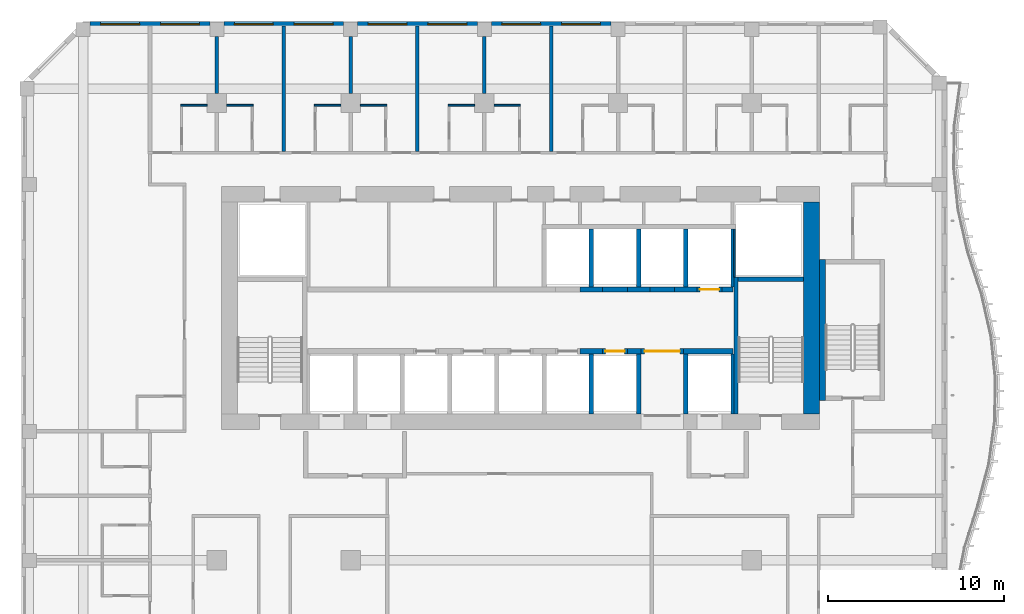
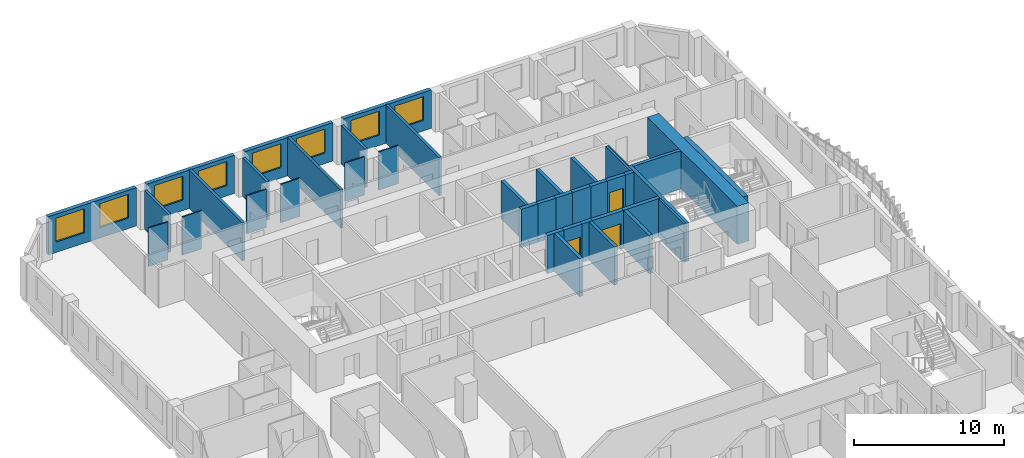
# One storey, part 9 of 23: 41 walls, 8 windows, 3 doors, 11 openings.
"""IFC4 building model written with IfcOpenShell, lengths in metres."""

from ifc_helpers import new_model, si_unit, direction, frame, frame_2d, origin, place, context, subcontext, project, spatial, rectangle, extrude, source, transform, mapped, material, layer, layer_set, type_object, element, fill, save


model = new_model("IFC4")

# Units and contexts
model_context = context("Model", 3, precision=1e-05, world=origin(), true_north=direction((0.0, 1.0)))
body_context = subcontext(model_context, "Body", "Model", "MODEL_VIEW")
ifc_project = project(units=[si_unit("LENGTHUNIT", "METRE"), si_unit("AREAUNIT", "SQUARE_METRE"), si_unit("VOLUMEUNIT", "CUBIC_METRE"), si_unit("PLANEANGLEUNIT", "RADIAN"), si_unit("MASSUNIT", "GRAM", prefix="KILO")], contexts=[model_context])

# Site, building, storey
site_placement = place(None, origin())
site = spatial("IfcSite", under=ifc_project, at=site_placement, CompositionType="ELEMENT")
building_placement = place(site_placement, origin())
building = spatial("IfcBuilding", under=site, at=building_placement, Name="Kilnfold Tower and Market Hall", CompositionType="ELEMENT")
storey_placement = place(building_placement, frame((0.0, 0.0, 150.699951171875)))
storey = spatial("IfcBuildingStorey", under=building, at=storey_placement, Name="L34", CompositionType="ELEMENT", Elevation=150.699951171875)

# Walls
ifc_material_1 = material(Name="Gypsum board on steel studs", Category="steel")
ifc_layer_1 = layer(ifc_material_1, 0.10009765625)
ifc_layer_set_1 = layer_set([ifc_layer_1], Name="Gypsum board on steel studs")
wall_type_1 = type_object("IfcWallType", Name="WALL PARTITION 100", PredefinedType="PARTITIONING", material=ifc_layer_set_1)
for number, where, z_axis, x_axis, name in (
    (1, (-18.217041015625, 26.501953125, 0.0), (0.0, 0.0, 1.0), (1.0, 0.0, 0.0), "Partition LY22.86"),
    (2, (-15.616943359375, 26.501953125, 0.0), (0.0, 0.0, 1.0), (1.0, 0.0, 0.0), "Partition LY22.90"),
    (3, (-10.633056640625, 26.501953125, 0.0), (0.0, 0.0, 1.0), (1.0, 0.0, 0.0), "Partition LY22.93"),
    (4, (-8.032958984375, 26.501953125, 0.0), (0.0, 0.0, 1.0), (1.0, 0.0, 0.0), "Partition LY22.97"),
    (5, (-3.050048828125, 26.501953125, 0.0), (0.0, 0.0, 1.0), (1.0, 0.0, 0.0), "Partition LY22.100"),
    (6, (-0.449951171875, 26.501953125, 0.0), (0.0, 0.0, 1.0), (1.0, 0.0, 0.0), "Partition LY22.104"),
):
    element("IfcWall", number, at=place(storey_placement, frame(where, z_axis=z_axis, x_axis=x_axis)), inside=storey, type_object=wall_type_1, Name=name, PredefinedType="PARTITIONING", context=body_context, shape_type="SweptSolid", body=[
        extrude(rectangle(XDim=1.5, YDim=0.10009765625, at=frame_2d((0.75, 0.0))), origin(), (0.0, 0.0, 1.0), 3.1201171875),
    ])
ifc_material_2 = material(Name="Gypsum board on steel studs", Category="steel")
ifc_layer_2 = layer(ifc_material_2, 0.199951171875)
ifc_layer_set_2 = layer_set([ifc_layer_2], Name="Gypsum board on steel studs")
wall_type_2 = type_object("IfcWallType", Name="WALL PARTY 200", PredefinedType="PARTITIONING", material=ifc_layer_set_2)
wall_1_placement = place(storey_placement, frame((-16.1669921875, 27.175048828125, 0.0), z_axis=(0.0, 0.0, 1.0), x_axis=(0.0, 1.0, 0.0)))
element("IfcWall", 7, at=wall_1_placement, inside=storey, type_object=wall_type_2, Name="Partition LY22.88", PredefinedType="PARTITIONING", context=body_context, shape_type="SweptSolid", body=[
    extrude(rectangle(XDim=3.224853515625, YDim=0.199951171875, at=frame_2d((1.6123046875, 0.0))), origin(), (0.0, 0.0, 1.0), 3.1201171875),
])
wall_2_placement = place(storey_placement, frame((-12.375, 23.876953125, 0.0), z_axis=(0.0, 0.0, 1.0), x_axis=(0.0, 1.0, 0.0)))
element("IfcWall", 8, at=wall_2_placement, inside=storey, type_object=wall_type_2, Name="Partition LY22.92", PredefinedType="PARTITIONING", context=body_context, shape_type="SweptSolid", body=[
    extrude(rectangle(XDim=7.123046875, YDim=0.199951171875, at=frame_2d((3.5615234375, 0.0))), origin(), (0.0, 0.0, 1.0), 3.1201171875),
])
wall_3_placement = place(storey_placement, frame((-8.5830078125, 27.175048828125, 0.0), z_axis=(0.0, 0.0, 1.0), x_axis=(0.0, 1.0, 0.0)))
element("IfcWall", 9, at=wall_3_placement, inside=storey, type_object=wall_type_2, Name="Partition LY22.95", PredefinedType="PARTITIONING", context=body_context, shape_type="SweptSolid", body=[
    extrude(rectangle(XDim=3.224853515625, YDim=0.199951171875, at=frame_2d((1.6123046875, 0.0))), origin(), (0.0, 0.0, 1.0), 3.1201171875),
])
wall_4_placement = place(storey_placement, frame((-4.7919921875, 23.876953125, 0.0), z_axis=(0.0, 0.0, 1.0), x_axis=(0.0, 1.0, 0.0)))
element("IfcWall", 10, at=wall_4_placement, inside=storey, type_object=wall_type_2, Name="Partition LY22.99", PredefinedType="PARTITIONING", context=body_context, shape_type="SweptSolid", body=[
    extrude(rectangle(XDim=7.123046875, YDim=0.199951171875, at=frame_2d((3.5615234375, 0.0))), origin(), (0.0, 0.0, 1.0), 3.1201171875),
])
wall_5_placement = place(storey_placement, frame((-1.0, 27.175048828125, 0.0), z_axis=(0.0, 0.0, 1.0), x_axis=(0.0, 1.0, 0.0)))
element("IfcWall", 11, at=wall_5_placement, inside=storey, type_object=wall_type_2, Name="Partition LY22.102", PredefinedType="PARTITIONING", context=body_context, shape_type="SweptSolid", body=[
    extrude(rectangle(XDim=3.224853515625, YDim=0.199951171875, at=frame_2d((1.6123046875, 0.0))), origin(), (0.0, 0.0, 1.0), 3.1201171875),
])
wall_6_placement = place(storey_placement, frame((2.7919921875, 23.876953125, 0.0), z_axis=(0.0, 0.0, 1.0), x_axis=(0.0, 1.0, 0.0)))
element("IfcWall", 12, at=wall_6_placement, inside=storey, type_object=wall_type_2, Name="Partition LY22.106", PredefinedType="PARTITIONING", context=body_context, shape_type="SweptSolid", body=[
    extrude(rectangle(XDim=7.123046875, YDim=0.199951171875, at=frame_2d((3.5615234375, 0.0))), origin(), (0.0, 0.0, 1.0), 3.1201171875),
])
ifc_material_3 = material(Name="Concrete C70", Category="concrete")
ifc_layer_3 = layer(ifc_material_3, 0.89990234375)
ifc_layer_set_3 = layer_set([ifc_layer_3], Name="Concrete C70")
wall_type_3 = type_object("IfcWallType", Name="CORE WALL 900 C70", PredefinedType="SHEAR", material=ifc_layer_set_3)
shared_shape_1 = source(origin(), body_context, "Body", "SweptSolid", [
    extrude(rectangle(XDim=12.0, YDim=0.89990234375, at=frame_2d((6.0, 0.0))), origin(), (0.0, 0.0, 1.0), 3.1201171875),
])
wall_7_placement = place(storey_placement, frame((17.550048828125, 9.0, 0.0), z_axis=(0.0, 0.0, 1.0), x_axis=(0.0, 1.0, 0.0)))
element("IfcWall", 13, at=wall_7_placement, inside=storey, type_object=wall_type_3, Name="Core outer wall east", PredefinedType="SHEAR", context=body_context, shape_type="MappedRepresentation", body=[
    mapped(shared_shape_1, transform((0.0, 0.0, 0.0))),
])
ifc_material_4 = material(Name="Concrete C70", Category="concrete")
ifc_layer_4 = layer(ifc_material_4, 0.25)
ifc_layer_set_4 = layer_set([ifc_layer_4], Name="Concrete C70")
wall_type_4 = type_object("IfcWallType", Name="CORE WALL 250 C70", PredefinedType="SHEAR", material=ifc_layer_set_4)
shared_shape_2 = source(origin(), body_context, "Body", "SweptSolid", [
    extrude(rectangle(XDim=7.75, YDim=0.25, at=frame_2d((3.875, 0.0))), origin(), (0.0, 0.0, 1.0), 3.1201171875),
])
wall_8_placement = place(storey_placement, frame((13.27490234375, 9.0, 0.0), z_axis=(0.0, 0.0, 1.0), x_axis=(0.0, 1.0, 0.0)))
element("IfcWall", 14, at=wall_8_placement, inside=storey, type_object=wall_type_4, Name="Stair enclosure ST2", PredefinedType="SHEAR", context=body_context, shape_type="MappedRepresentation", body=[
    mapped(shared_shape_2, transform((0.0, 0.0, 0.0))),
])
shared_shape_3 = source(origin(), body_context, "Body", "SweptSolid", [
    extrude(rectangle(XDim=3.7001953125, YDim=0.25, at=frame_2d((1.85009765625, 0.0))), origin(), (0.0, 0.0, 1.0), 3.1201171875),
])
wall_9_placement = place(storey_placement, frame((13.39990234375, 16.625, 0.0), z_axis=(0.0, 0.0, 1.0), x_axis=(1.0, 0.0, 0.0)))
element("IfcWall", 15, at=wall_9_placement, inside=storey, type_object=wall_type_4, Name="Stair enclosure ST2", PredefinedType="SHEAR", context=body_context, shape_type="MappedRepresentation", body=[
    mapped(shared_shape_3, transform((0.0, 0.0, 0.0))),
])
ifc_material_5 = material(Name="Concrete C70", Category="concrete")
ifc_layer_5 = layer(ifc_material_5, 0.35009765625)
ifc_layer_set_5 = layer_set([ifc_layer_5], Name="Concrete C70")
wall_type_5 = type_object("IfcWallType", Name="CORE WALL 350 C70", PredefinedType="SHEAR", material=ifc_layer_set_5)
shared_shape_4 = source(origin(), body_context, "Body", "SweptSolid", [
    extrude(rectangle(XDim=8.0, YDim=0.35009765625, at=frame_2d((4.0, 0.0))), origin(), (0.0, 0.0, 1.0), 3.1201171875),
])
wall_10_placement = place(storey_placement, frame((18.175048828125, 9.75, 0.0), z_axis=(0.0, 0.0, 1.0), x_axis=(0.0, 1.0, 0.0)))
element("IfcWall", 16, at=wall_10_placement, inside=storey, type_object=wall_type_5, Name="Stair enclosure ST5", PredefinedType="SHEAR", context=body_context, shape_type="MappedRepresentation", body=[
    mapped(shared_shape_4, transform((0.0, 0.0, 0.0))),
])
ifc_material_6 = material(Name="Concrete C70", Category="concrete")
ifc_layer_6 = layer(ifc_material_6, 0.300048828125)
ifc_layer_set_6 = layer_set([ifc_layer_6], Name="Concrete C70")
wall_type_6 = type_object("IfcWallType", Name="CORE WALL 300 C70", PredefinedType="SHEAR", material=ifc_layer_set_6)
shared_shape_5 = source(origin(), body_context, "Body", "SweptSolid", [
    extrude(rectangle(XDim=1.280029296875, YDim=0.300048828125, at=frame_2d((0.64013671875, 0.0))), origin(), (0.0, 0.0, 1.0), 3.1201171875),
])
for number, where, z_axis, x_axis, name in (
    (17, (4.429931640625, 12.550048828125, 0.0), (0.0, 0.0, 1.0), (1.0, 0.0, 0.0), "Core spine wall"),
    (18, (4.429931640625, 16.050048828125, 0.0), (0.0, 0.0, 1.0), (1.0, 0.0, 0.0), "Core spine wall"),
    (19, (9.7900390625, 16.050048828125, 0.0), (0.0, 0.0, 1.0), (1.0, 0.0, 0.0), "Core spine wall"),
):
    element("IfcWall", number, at=place(storey_placement, frame(where, z_axis=z_axis, x_axis=x_axis)), inside=storey, type_object=wall_type_6, Name=name, PredefinedType="SHEAR", context=body_context, shape_type="MappedRepresentation", body=[
        mapped(shared_shape_5, transform((0.0, 0.0, 0.0))),
    ])
shared_shape_6 = source(origin(), body_context, "Body", "SweptSolid", [
    extrude(rectangle(XDim=0.77978515625, YDim=0.300048828125, at=frame_2d((0.389892578125, 0.0))), origin(), (0.0, 0.0, 1.0), 3.1201171875),
])
wall_11_placement = place(storey_placement, frame((7.110107421875, 12.550048828125, 0.0), z_axis=(0.0, 0.0, 1.0), x_axis=(1.0, 0.0, 0.0)))
element("IfcWall", 20, at=wall_11_placement, inside=storey, type_object=wall_type_6, Name="Core spine wall", PredefinedType="SHEAR", context=body_context, shape_type="MappedRepresentation", body=[
    mapped(shared_shape_6, transform((0.0, 0.0, 0.0))),
])
shared_shape_7 = source(origin(), body_context, "Body", "SweptSolid", [
    extrude(rectangle(XDim=2.820068359375, YDim=0.300048828125, at=frame_2d((1.41015625, 0.0))), origin(), (0.0, 0.0, 1.0), 3.1201171875),
])
wall_12_placement = place(storey_placement, frame((10.2900390625, 12.550048828125, 0.0), z_axis=(0.0, 0.0, 1.0), x_axis=(1.0, 0.0, 0.0)))
element("IfcWall", 21, at=wall_12_placement, inside=storey, type_object=wall_type_6, Name="Core spine wall", PredefinedType="SHEAR", context=body_context, shape_type="MappedRepresentation", body=[
    mapped(shared_shape_7, transform((0.0, 0.0, 0.0))),
])
shared_shape_8 = source(origin(), body_context, "Body", "SweptSolid", [
    extrude(rectangle(XDim=1.27978515625, YDim=0.300048828125, at=frame_2d((0.639892578125, 0.0))), origin(), (0.0, 0.0, 1.0), 3.1201171875),
])
wall_13_placement = place(storey_placement, frame((7.110107421875, 16.050048828125, 0.0), z_axis=(0.0, 0.0, 1.0), x_axis=(1.0, 0.0, 0.0)))
element("IfcWall", 22, at=wall_13_placement, inside=storey, type_object=wall_type_6, Name="Core spine wall", PredefinedType="SHEAR", context=body_context, shape_type="MappedRepresentation", body=[
    mapped(shared_shape_8, transform((0.0, 0.0, 0.0))),
])
shared_shape_9 = source(origin(), body_context, "Body", "SweptSolid", [
    extrude(rectangle(XDim=0.64013671875, YDim=0.300048828125, at=frame_2d((0.320068359375, 0.0))), origin(), (0.0, 0.0, 1.0), 3.1201171875),
])
wall_14_placement = place(storey_placement, frame((12.469970703125, 16.050048828125, 0.0), z_axis=(0.0, 0.0, 1.0), x_axis=(1.0, 0.0, 0.0)))
element("IfcWall", 23, at=wall_14_placement, inside=storey, type_object=wall_type_6, Name="Core spine wall", PredefinedType="SHEAR", context=body_context, shape_type="MappedRepresentation", body=[
    mapped(shared_shape_9, transform((0.0, 0.0, 0.0))),
])

# Wall, openings, windows
ifc_material_7 = material(Name="Precast concrete C50/60", Category="concrete")
ifc_layer_7 = layer(ifc_material_7, 0.300048828125)
ifc_layer_set_7 = layer_set([ifc_layer_7], Name="Precast concrete C50/60")
wall_type_7 = type_object("IfcWallType", Name="PRECAST WALL 300", PredefinedType="SOLIDWALL", material=ifc_layer_set_7)
shared_shape_10 = source(origin(), body_context, "Body", "SweptSolid", [
    extrude(rectangle(XDim=6.783447265625, YDim=0.300048828125, at=frame_2d((3.3916015625, 0.0))), origin(), (0.0, 0.0, 1.0), 3.1201171875),
])
wall_15_placement = place(storey_placement, frame((6.183349609375, 31.10009765625, 0.0), z_axis=(0.0, 0.0, 1.0), x_axis=(-1.0, 0.0, 0.0)))
wall_15 = element("IfcWall", 24, at=wall_15_placement, inside=storey, type_object=wall_type_7, Name="External wall L34 N", PredefinedType="SOLIDWALL", context=body_context, shape_type="MappedRepresentation", body=[
    mapped(shared_shape_10, transform((0.0, 0.0, 0.0))),
])
opening_1_placement = place(wall_15_placement, frame((0.595703125, 0.0, 0.85009765625)))
opening_1 = element("IfcOpeningElement", 25, at=opening_1_placement, cuts=wall_15, Name="Opening W2", PredefinedType="OPENING", context=body_context, shape_type="SweptSolid", body=[
    extrude(rectangle(XDim=2.199951171875, YDim=1.949951171875, at=frame_2d((1.10009765625, 0.97509765625))), frame((0.0, 0.16015625, 0.0), z_axis=(0.0, -1.0, 0.0), x_axis=(1.0, 0.0, 0.0)), (0.0, 0.0, 1.0), 0.320068359375),
])
opening_2_placement = place(wall_15_placement, frame((3.987548828125, 0.0, 0.85009765625)))
opening_2 = element("IfcOpeningElement", 26, at=opening_2_placement, cuts=wall_15, Name="Opening W2", PredefinedType="OPENING", context=body_context, shape_type="SweptSolid", body=[
    extrude(rectangle(XDim=2.199951171875, YDim=1.949951171875, at=frame_2d((1.10009765625, 0.97509765625))), frame((0.0, 0.16015625, 0.0), z_axis=(0.0, -1.0, 0.0), x_axis=(1.0, 0.0, 0.0)), (0.0, 0.0, 1.0), 0.320068359375),
])
ifc_material_8 = material(Name="Aluminium frame and double glazing", Category="aluminium")
window_type = type_object("IfcWindowType", Name="WINDOW W2 2200X1950", PartitioningType="SINGLE_PANEL", PredefinedType="WINDOW", material=ifc_material_8)
window_1_placement = place(opening_1_placement, origin())
window_1 = element("IfcWindow", 27, at=window_1_placement, inside=storey, type_object=window_type, Name="Window W2 L34 N-1", OverallHeight=1.949951171875, OverallWidth=2.199951171875, PartitioningType="SINGLE_PANEL", PredefinedType="WINDOW", context=body_context, shape_type="SweptSolid", body=[
    extrude(rectangle(XDim=2.199951171875, YDim=1.949951171875, at=frame_2d((1.10009765625, 0.97509765625))), frame((0.0, 0.030029296875, 0.0), z_axis=(0.0, -1.0, 0.0), x_axis=(1.0, 0.0, 0.0)), (0.0, 0.0, 1.0), 0.06005859375),
])
fill(opening_1, window_1)
window_2_placement = place(opening_2_placement, origin())
window_2 = element("IfcWindow", 28, at=window_2_placement, inside=storey, type_object=window_type, Name="Window W2 L34 N-2", OverallHeight=1.949951171875, OverallWidth=2.199951171875, PartitioningType="SINGLE_PANEL", PredefinedType="WINDOW", context=body_context, shape_type="SweptSolid", body=[
    extrude(rectangle(XDim=2.199951171875, YDim=1.949951171875, at=frame_2d((1.10009765625, 0.97509765625))), frame((0.0, 0.030029296875, 0.0), z_axis=(0.0, -1.0, 0.0), x_axis=(1.0, 0.0, 0.0)), (0.0, 0.0, 1.0), 0.06005859375),
])
fill(opening_2, window_2)

wall_16_placement = place(storey_placement, frame((-1.39990234375, 31.10009765625, 0.0), z_axis=(0.0, 0.0, 1.0), x_axis=(-1.0, 0.0, 0.0)))
wall_16 = element("IfcWall", 29, at=wall_16_placement, inside=storey, type_object=wall_type_7, Name="External wall L34 N", PredefinedType="SOLIDWALL", context=body_context, shape_type="MappedRepresentation", body=[
    mapped(shared_shape_10, transform((0.0, 0.0, 0.0))),
])
opening_3_placement = place(wall_16_placement, frame((0.595703125, 0.0, 0.85009765625)))
opening_3 = element("IfcOpeningElement", 30, at=opening_3_placement, cuts=wall_16, Name="Opening W2", PredefinedType="OPENING", context=body_context, shape_type="SweptSolid", body=[
    extrude(rectangle(XDim=2.199951171875, YDim=1.949951171875, at=frame_2d((1.10009765625, 0.97509765625))), frame((0.0, 0.16015625, 0.0), z_axis=(0.0, -1.0, 0.0), x_axis=(1.0, 0.0, 0.0)), (0.0, 0.0, 1.0), 0.320068359375),
])
opening_4_placement = place(wall_16_placement, frame((3.987548828125, 0.0, 0.85009765625)))
opening_4 = element("IfcOpeningElement", 31, at=opening_4_placement, cuts=wall_16, Name="Opening W2", PredefinedType="OPENING", context=body_context, shape_type="SweptSolid", body=[
    extrude(rectangle(XDim=2.199951171875, YDim=1.949951171875, at=frame_2d((1.10009765625, 0.97509765625))), frame((0.0, 0.16015625, 0.0), z_axis=(0.0, -1.0, 0.0), x_axis=(1.0, 0.0, 0.0)), (0.0, 0.0, 1.0), 0.320068359375),
])
window_3_placement = place(opening_3_placement, origin())
window_3 = element("IfcWindow", 32, at=window_3_placement, inside=storey, type_object=window_type, Name="Window W2 L34 N-1", OverallHeight=1.949951171875, OverallWidth=2.199951171875, PartitioningType="SINGLE_PANEL", PredefinedType="WINDOW", context=body_context, shape_type="SweptSolid", body=[
    extrude(rectangle(XDim=2.199951171875, YDim=1.949951171875, at=frame_2d((1.10009765625, 0.97509765625))), frame((0.0, 0.030029296875, 0.0), z_axis=(0.0, -1.0, 0.0), x_axis=(1.0, 0.0, 0.0)), (0.0, 0.0, 1.0), 0.06005859375),
])
fill(opening_3, window_3)
window_4_placement = place(opening_4_placement, origin())
window_4 = element("IfcWindow", 33, at=window_4_placement, inside=storey, type_object=window_type, Name="Window W2 L34 N-2", OverallHeight=1.949951171875, OverallWidth=2.199951171875, PartitioningType="SINGLE_PANEL", PredefinedType="WINDOW", context=body_context, shape_type="SweptSolid", body=[
    extrude(rectangle(XDim=2.199951171875, YDim=1.949951171875, at=frame_2d((1.10009765625, 0.97509765625))), frame((0.0, 0.030029296875, 0.0), z_axis=(0.0, -1.0, 0.0), x_axis=(1.0, 0.0, 0.0)), (0.0, 0.0, 1.0), 0.06005859375),
])
fill(opening_4, window_4)

wall_17_placement = place(storey_placement, frame((-16.566650390625, 31.10009765625, 0.0), z_axis=(0.0, 0.0, 1.0), x_axis=(-1.0, 0.0, 0.0)))
wall_17 = element("IfcWall", 34, at=wall_17_placement, inside=storey, type_object=wall_type_7, Name="External wall L34 N", PredefinedType="SOLIDWALL", context=body_context, shape_type="MappedRepresentation", body=[
    mapped(shared_shape_10, transform((0.0, 0.0, 0.0))),
])
opening_5_placement = place(wall_17_placement, frame((0.595703125, 0.0, 0.85009765625)))
opening_5 = element("IfcOpeningElement", 35, at=opening_5_placement, cuts=wall_17, Name="Opening W2", PredefinedType="OPENING", context=body_context, shape_type="SweptSolid", body=[
    extrude(rectangle(XDim=2.199951171875, YDim=1.949951171875, at=frame_2d((1.10009765625, 0.97509765625))), frame((0.0, 0.16015625, 0.0), z_axis=(0.0, -1.0, 0.0), x_axis=(1.0, 0.0, 0.0)), (0.0, 0.0, 1.0), 0.320068359375),
])
opening_6_placement = place(wall_17_placement, frame((3.987548828125, 0.0, 0.85009765625)))
opening_6 = element("IfcOpeningElement", 36, at=opening_6_placement, cuts=wall_17, Name="Opening W2", PredefinedType="OPENING", context=body_context, shape_type="SweptSolid", body=[
    extrude(rectangle(XDim=2.199951171875, YDim=1.949951171875, at=frame_2d((1.10009765625, 0.97509765625))), frame((0.0, 0.16015625, 0.0), z_axis=(0.0, -1.0, 0.0), x_axis=(1.0, 0.0, 0.0)), (0.0, 0.0, 1.0), 0.320068359375),
])
window_5_placement = place(opening_5_placement, origin())
window_5 = element("IfcWindow", 37, at=window_5_placement, inside=storey, type_object=window_type, Name="Window W2 L34 N-1", OverallHeight=1.949951171875, OverallWidth=2.199951171875, PartitioningType="SINGLE_PANEL", PredefinedType="WINDOW", context=body_context, shape_type="SweptSolid", body=[
    extrude(rectangle(XDim=2.199951171875, YDim=1.949951171875, at=frame_2d((1.10009765625, 0.97509765625))), frame((0.0, 0.030029296875, 0.0), z_axis=(0.0, -1.0, 0.0), x_axis=(1.0, 0.0, 0.0)), (0.0, 0.0, 1.0), 0.06005859375),
])
fill(opening_5, window_5)
window_6_placement = place(opening_6_placement, origin())
window_6 = element("IfcWindow", 38, at=window_6_placement, inside=storey, type_object=window_type, Name="Window W2 L34 N-2", OverallHeight=1.949951171875, OverallWidth=2.199951171875, PartitioningType="SINGLE_PANEL", PredefinedType="WINDOW", context=body_context, shape_type="SweptSolid", body=[
    extrude(rectangle(XDim=2.199951171875, YDim=1.949951171875, at=frame_2d((1.10009765625, 0.97509765625))), frame((0.0, 0.030029296875, 0.0), z_axis=(0.0, -1.0, 0.0), x_axis=(1.0, 0.0, 0.0)), (0.0, 0.0, 1.0), 0.06005859375),
])
fill(opening_6, window_6)

shared_shape_11 = source(origin(), body_context, "Body", "SweptSolid", [
    extrude(rectangle(XDim=6.783203125, YDim=0.300048828125, at=frame_2d((3.3916015625, 0.0))), origin(), (0.0, 0.0, 1.0), 3.1201171875),
])
wall_18_placement = place(storey_placement, frame((-8.9833984375, 31.10009765625, 0.0), z_axis=(0.0, 0.0, 1.0), x_axis=(-1.0, 0.0, 0.0)))
wall_18 = element("IfcWall", 39, at=wall_18_placement, inside=storey, type_object=wall_type_7, Name="External wall L34 N", PredefinedType="SOLIDWALL", context=body_context, shape_type="MappedRepresentation", body=[
    mapped(shared_shape_11, transform((0.0, 0.0, 0.0))),
])
opening_7_placement = place(wall_18_placement, frame((0.595703125, 0.0, 0.85009765625)))
opening_7 = element("IfcOpeningElement", 40, at=opening_7_placement, cuts=wall_18, Name="Opening W2", PredefinedType="OPENING", context=body_context, shape_type="SweptSolid", body=[
    extrude(rectangle(XDim=2.199951171875, YDim=1.949951171875, at=frame_2d((1.10009765625, 0.97509765625))), frame((0.0, 0.16015625, 0.0), z_axis=(0.0, -1.0, 0.0), x_axis=(1.0, 0.0, 0.0)), (0.0, 0.0, 1.0), 0.320068359375),
])
opening_8_placement = place(wall_18_placement, frame((3.987548828125, 0.0, 0.85009765625)))
opening_8 = element("IfcOpeningElement", 41, at=opening_8_placement, cuts=wall_18, Name="Opening W2", PredefinedType="OPENING", context=body_context, shape_type="SweptSolid", body=[
    extrude(rectangle(XDim=2.199951171875, YDim=1.949951171875, at=frame_2d((1.10009765625, 0.97509765625))), frame((0.0, 0.16015625, 0.0), z_axis=(0.0, -1.0, 0.0), x_axis=(1.0, 0.0, 0.0)), (0.0, 0.0, 1.0), 0.320068359375),
])
window_7_placement = place(opening_7_placement, origin())
window_7 = element("IfcWindow", 42, at=window_7_placement, inside=storey, type_object=window_type, Name="Window W2 L34 N-1", OverallHeight=1.949951171875, OverallWidth=2.199951171875, PartitioningType="SINGLE_PANEL", PredefinedType="WINDOW", context=body_context, shape_type="SweptSolid", body=[
    extrude(rectangle(XDim=2.199951171875, YDim=1.949951171875, at=frame_2d((1.10009765625, 0.97509765625))), frame((0.0, 0.030029296875, 0.0), z_axis=(0.0, -1.0, 0.0), x_axis=(1.0, 0.0, 0.0)), (0.0, 0.0, 1.0), 0.06005859375),
])
fill(opening_7, window_7)
window_8_placement = place(opening_8_placement, origin())
window_8 = element("IfcWindow", 43, at=window_8_placement, inside=storey, type_object=window_type, Name="Window W2 L34 N-2", OverallHeight=1.949951171875, OverallWidth=2.199951171875, PartitioningType="SINGLE_PANEL", PredefinedType="WINDOW", context=body_context, shape_type="SweptSolid", body=[
    extrude(rectangle(XDim=2.199951171875, YDim=1.949951171875, at=frame_2d((1.10009765625, 0.97509765625))), frame((0.0, 0.030029296875, 0.0), z_axis=(0.0, -1.0, 0.0), x_axis=(1.0, 0.0, 0.0)), (0.0, 0.0, 1.0), 0.06005859375),
])
fill(opening_8, window_8)

# Wall, opening, door
ifc_material_9 = material(Name="Gypsum shaft wall system")
ifc_layer_8 = layer(ifc_material_9, 0.300048828125)
ifc_layer_set_8 = layer_set([ifc_layer_8], Name="Gypsum shaft wall system")
wall_type_8 = type_object("IfcWallType", Name="SHAFT WALL 300", PredefinedType="PARTITIONING", material=ifc_layer_set_8)
shared_shape_12 = source(origin(), body_context, "Body", "SweptSolid", [
    extrude(rectangle(XDim=1.39990234375, YDim=0.300048828125, at=frame_2d((0.699951171875, 0.0))), origin(), (0.0, 0.0, 1.0), 3.1201171875),
])
wall_19_placement = place(storey_placement, frame((11.070068359375, 16.050048828125, 0.0), z_axis=(0.0, 0.0, 1.0), x_axis=(1.0, 0.0, 0.0)))
wall_19 = element("IfcWall", 44, at=wall_19_placement, inside=storey, type_object=wall_type_8, Name="Lift shaft front wall", PredefinedType="PARTITIONING", context=body_context, shape_type="MappedRepresentation", body=[
    mapped(shared_shape_12, transform((0.0, 0.0, 0.0))),
])
opening_9_placement = place(wall_19_placement, frame((0.14990234375, 0.0, 0.0)))
opening_9 = element("IfcOpeningElement", 45, at=opening_9_placement, cuts=wall_19, Name="Opening LD2", PredefinedType="OPENING", context=body_context, shape_type="SweptSolid", body=[
    extrude(rectangle(XDim=1.10009765625, YDim=2.10009765625, at=frame_2d((0.550048828125, 1.050048828125))), frame((0.0, 0.16015625, 0.0), z_axis=(0.0, -1.0, 0.0), x_axis=(1.0, 0.0, 0.0)), (0.0, 0.0, 1.0), 0.320068359375),
])
ifc_material_10 = material(Name="Steel door set with fire-resisting leaf", Category="steel")
door_type_1 = type_object("IfcDoorType", Name="LANDING DOOR 1100X2100", OperationType="NOTDEFINED", PredefinedType="DOOR", material=ifc_material_10)
door_1_placement = place(opening_9_placement, origin())
door_1 = element("IfcDoor", 46, at=door_1_placement, inside=storey, type_object=door_type_1, Name="Landing door MR6", OperationType="DOUBLE_DOOR_SLIDING", OverallHeight=2.10009765625, OverallWidth=1.10009765625, PredefinedType="DOOR", context=body_context, shape_type="SweptSolid", body=[
    extrude(rectangle(XDim=1.10009765625, YDim=2.10009765625, at=frame_2d((0.550048828125, 1.050048828125))), frame((0.0, 0.02490234375, 0.0), z_axis=(0.0, -1.0, 0.0), x_axis=(1.0, 0.0, 0.0)), (0.0, 0.0, 1.0), 0.050048828125),
])
fill(opening_9, door_1)

shared_shape_13 = source(origin(), body_context, "Body", "SweptSolid", [
    extrude(rectangle(XDim=1.400146484375, YDim=0.300048828125, at=frame_2d((0.7001953125, 0.0))), origin(), (0.0, 0.0, 1.0), 3.1201171875),
])
wall_20_placement = place(storey_placement, frame((5.7099609375, 12.550048828125, 0.0), z_axis=(0.0, 0.0, 1.0), x_axis=(1.0, 0.0, 0.0)))
wall_20 = element("IfcWall", 47, at=wall_20_placement, inside=storey, type_object=wall_type_8, Name="Lift shaft front wall", PredefinedType="PARTITIONING", context=body_context, shape_type="MappedRepresentation", body=[
    mapped(shared_shape_13, transform((0.0, 0.0, 0.0))),
])
opening_10_placement = place(wall_20_placement, frame((0.14990234375, 0.0, 0.0)))
opening_10 = element("IfcOpeningElement", 48, at=opening_10_placement, cuts=wall_20, Name="Opening LD2", PredefinedType="OPENING", context=body_context, shape_type="SweptSolid", body=[
    extrude(rectangle(XDim=1.10009765625, YDim=2.10009765625, at=frame_2d((0.550048828125, 1.050048828125))), frame((0.0, 0.16015625, 0.0), z_axis=(0.0, -1.0, 0.0), x_axis=(1.0, 0.0, 0.0)), (0.0, 0.0, 1.0), 0.320068359375),
])
door_2_placement = place(opening_10_placement, origin())
door_2 = element("IfcDoor", 49, at=door_2_placement, inside=storey, type_object=door_type_1, Name="Landing door MR5", OperationType="DOUBLE_DOOR_SLIDING", OverallHeight=2.10009765625, OverallWidth=1.10009765625, PredefinedType="DOOR", context=body_context, shape_type="SweptSolid", body=[
    extrude(rectangle(XDim=1.10009765625, YDim=2.10009765625, at=frame_2d((0.550048828125, 1.050048828125))), frame((0.0, 0.02490234375, 0.0), z_axis=(0.0, -1.0, 0.0), x_axis=(1.0, 0.0, 0.0)), (0.0, 0.0, 1.0), 0.050048828125),
])
fill(opening_10, door_2)

# Walls
for number, where, z_axis, x_axis, name in (
    (50, (5.7099609375, 16.050048828125, 0.0), (0.0, 0.0, 1.0), (1.0, 0.0, 0.0), "Lift shaft front wall"),
    (51, (8.389892578125, 16.050048828125, 0.0), (0.0, 0.0, 1.0), (1.0, 0.0, 0.0), "Lift shaft front wall"),
):
    element("IfcWall", number, at=place(storey_placement, frame(where, z_axis=z_axis, x_axis=x_axis)), inside=storey, type_object=wall_type_8, Name=name, PredefinedType="PARTITIONING", context=body_context, shape_type="MappedRepresentation", body=[
        mapped(shared_shape_13, transform((0.0, 0.0, 0.0))),
    ])

# Wall, opening, door
shared_shape_14 = source(origin(), body_context, "Body", "SweptSolid", [
    extrude(rectangle(XDim=2.400146484375, YDim=0.300048828125, at=frame_2d((1.2001953125, 0.0))), origin(), (0.0, 0.0, 1.0), 3.1201171875),
])
wall_21_placement = place(storey_placement, frame((7.889892578125, 12.550048828125, 0.0), z_axis=(0.0, 0.0, 1.0), x_axis=(1.0, 0.0, 0.0)))
wall_21 = element("IfcWall", 52, at=wall_21_placement, inside=storey, type_object=wall_type_8, Name="Lift shaft front wall", PredefinedType="PARTITIONING", context=body_context, shape_type="MappedRepresentation", body=[
    mapped(shared_shape_14, transform((0.0, 0.0, 0.0))),
])
opening_11_placement = place(wall_21_placement, frame((0.199951171875, 0.0, 0.0)))
opening_11 = element("IfcOpeningElement", 53, at=opening_11_placement, cuts=wall_21, Name="Opening VD2", PredefinedType="OPENING", context=body_context, shape_type="SweptSolid", body=[
    extrude(rectangle(XDim=2.0, YDim=2.10009765625, at=frame_2d((1.0, 1.050048828125))), frame((0.0, 0.16015625, 0.0), z_axis=(0.0, -1.0, 0.0), x_axis=(1.0, 0.0, 0.0)), (0.0, 0.0, 1.0), 0.320068359375),
])
ifc_material_11 = material(Name="Steel door set with fire-resisting leaf", Category="steel")
door_type_2 = type_object("IfcDoorType", Name="LIFT LOBBY ENTRANCE DOOR 2000X2100", OperationType="NOTDEFINED", PredefinedType="DOOR", material=ifc_material_11)
door_3_placement = place(opening_11_placement, origin())
door_3 = element("IfcDoor", 54, at=door_3_placement, inside=storey, type_object=door_type_2, Name="Lift lobby entrance door", OperationType="DOUBLE_DOOR_SINGLE_SWING", OverallHeight=2.10009765625, OverallWidth=2.0, PredefinedType="DOOR", context=body_context, shape_type="SweptSolid", body=[
    extrude(rectangle(XDim=2.0, YDim=2.10009765625, at=frame_2d((1.0, 1.050048828125))), frame((0.0, 0.02490234375, 0.0), z_axis=(0.0, -1.0, 0.0), x_axis=(1.0, 0.0, 0.0)), (0.0, 0.0, 1.0), 0.050048828125),
])
fill(opening_11, door_3)

# Walls
ifc_material_12 = material(Name="Gypsum shaft wall system")
ifc_layer_9 = layer(ifc_material_12, 0.1650390625)
ifc_layer_set_9 = layer_set([ifc_layer_9], Name="Gypsum shaft wall system")
wall_type_9 = type_object("IfcWallType", Name="SHAFT WALL 165", PredefinedType="PARTITIONING", material=ifc_layer_set_9)
shared_shape_15 = source(origin(), body_context, "Body", "SweptSolid", [
    extrude(rectangle(XDim=3.275146484375, YDim=0.1650390625, at=frame_2d((1.6376953125, 0.0))), origin(), (0.0, 0.0, 1.0), 3.1201171875),
])
wall_22_placement = place(storey_placement, frame((13.0673828125, 16.199951171875, 0.0), z_axis=(0.0, 0.0, 1.0), x_axis=(0.0, 1.0, 0.0)))
element("IfcWall", 55, at=wall_22_placement, inside=storey, type_object=wall_type_9, Name="Lift shaft wall", PredefinedType="PARTITIONING", context=body_context, shape_type="MappedRepresentation", body=[
    mapped(shared_shape_15, transform((0.0, 0.0, 0.0))),
])
ifc_material_13 = material(Name="Gypsum shaft wall system")
ifc_layer_10 = layer(ifc_material_13, 0.25)
ifc_layer_set_10 = layer_set([ifc_layer_10], Name="Gypsum shaft wall system")
wall_type_10 = type_object("IfcWallType", Name="SHAFT WALL 250", PredefinedType="PARTITIONING", material=ifc_layer_set_10)
shared_shape_16 = source(origin(), body_context, "Body", "SweptSolid", [
    extrude(rectangle(XDim=3.275146484375, YDim=0.25, at=frame_2d((1.6376953125, 0.0))), origin(), (0.0, 0.0, 1.0), 3.1201171875),
])
for number, where, z_axis, x_axis, name in (
    (56, (10.429931640625, 16.199951171875, 0.0), (0.0, 0.0, 1.0), (0.0, 1.0, 0.0), "Lift shaft wall"),
    (57, (5.070068359375, 16.199951171875, 0.0), (0.0, 0.0, 1.0), (0.0, 1.0, 0.0), "Lift shaft wall"),
    (58, (7.75, 16.199951171875, 0.0), (0.0, 0.0, 1.0), (0.0, 1.0, 0.0), "Lift shaft wall"),
):
    element("IfcWall", number, at=place(storey_placement, frame(where, z_axis=z_axis, x_axis=x_axis)), inside=storey, type_object=wall_type_10, Name=name, PredefinedType="PARTITIONING", context=body_context, shape_type="MappedRepresentation", body=[
        mapped(shared_shape_16, transform((0.0, 0.0, 0.0))),
    ])
ifc_material_14 = material(Name="Gypsum shaft wall system")
ifc_layer_11 = layer(ifc_material_14, 0.0849609375)
ifc_layer_set_11 = layer_set([ifc_layer_11], Name="Gypsum shaft wall system")
wall_type_11 = type_object("IfcWallType", Name="SHAFT WALL 85", PredefinedType="PARTITIONING", material=ifc_layer_set_11)
shared_shape_17 = source(origin(), body_context, "Body", "SweptSolid", [
    extrude(rectangle(XDim=2.72509765625, YDim=0.0849609375, at=frame_2d((1.362548828125, 0.0))), origin(), (0.0, 0.0, 1.0), 3.1201171875),
])
wall_23_placement = place(storey_placement, frame((13.1923828125, 16.75, 0.0), z_axis=(0.0, 0.0, 1.0), x_axis=(0.0, 1.0, 0.0)))
element("IfcWall", 59, at=wall_23_placement, inside=storey, type_object=wall_type_11, Name="Lift shaft wall", PredefinedType="PARTITIONING", context=body_context, shape_type="MappedRepresentation", body=[
    mapped(shared_shape_17, transform((0.0, 0.0, 0.0))),
])
shared_shape_18 = source(origin(), body_context, "Body", "SweptSolid", [
    extrude(rectangle(XDim=3.39990234375, YDim=0.25, at=frame_2d((1.699951171875, 0.0))), origin(), (0.0, 0.0, 1.0), 3.1201171875),
])
for number, where, z_axis, x_axis, name in (
    (60, (10.429931640625, 9.0, 0.0), (0.0, 0.0, 1.0), (0.0, 1.0, 0.0), "Lift shaft wall"),
    (61, (5.070068359375, 9.0, 0.0), (0.0, 0.0, 1.0), (0.0, 1.0, 0.0), "Lift shaft wall"),
    (62, (7.75, 9.0, 0.0), (0.0, 0.0, 1.0), (0.0, 1.0, 0.0), "Lift shaft wall"),
):
    element("IfcWall", number, at=place(storey_placement, frame(where, z_axis=z_axis, x_axis=x_axis)), inside=storey, type_object=wall_type_10, Name=name, PredefinedType="PARTITIONING", context=body_context, shape_type="MappedRepresentation", body=[
        mapped(shared_shape_18, transform((0.0, 0.0, 0.0))),
    ])
shared_shape_19 = source(origin(), body_context, "Body", "SweptSolid", [
    extrude(rectangle(XDim=3.39990234375, YDim=0.1650390625, at=frame_2d((1.699951171875, 0.0))), origin(), (0.0, 0.0, 1.0), 3.1201171875),
])
wall_24_placement = place(storey_placement, frame((13.0673828125, 9.0, 0.0), z_axis=(0.0, 0.0, 1.0), x_axis=(0.0, 1.0, 0.0)))
element("IfcWall", 63, at=wall_24_placement, inside=storey, type_object=wall_type_9, Name="Lift shaft wall", PredefinedType="PARTITIONING", context=body_context, shape_type="MappedRepresentation", body=[
    mapped(shared_shape_19, transform((0.0, 0.0, 0.0))),
])

save(model, "model.ifc")
